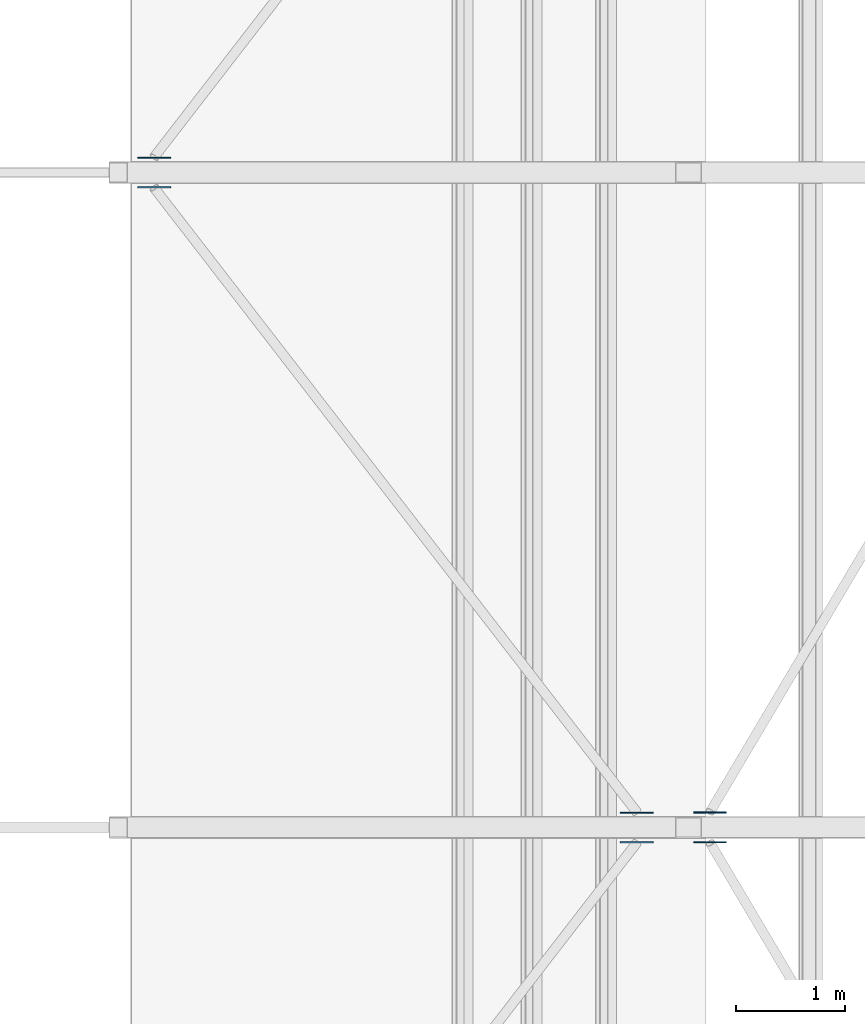
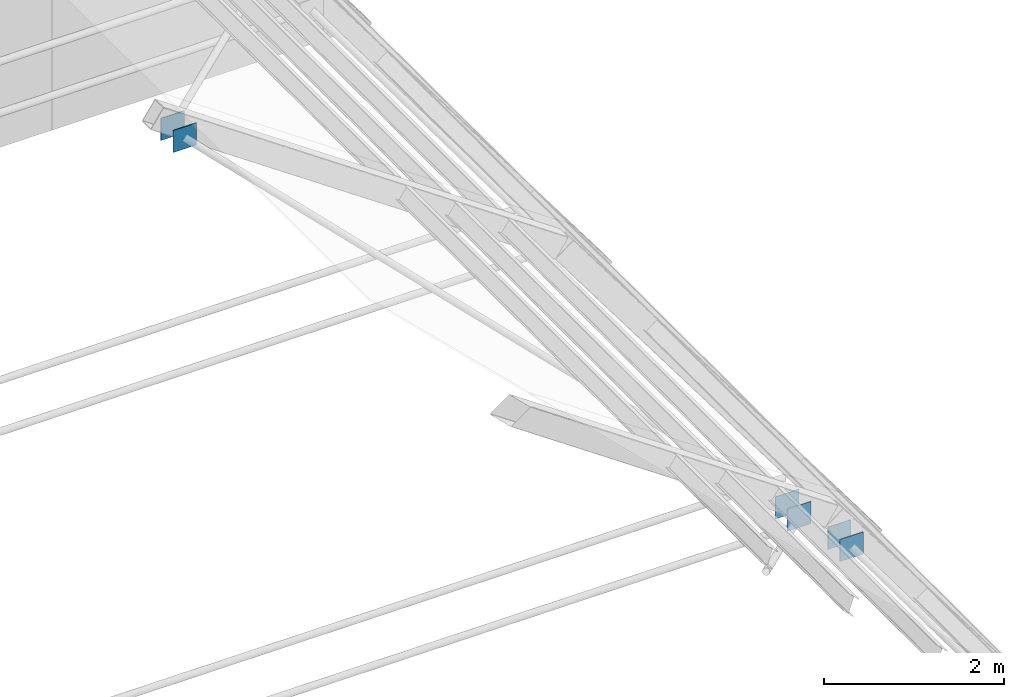
# One storey, part 31 of 43: 6 discrete accessories.
"""IFC4 building model written with IfcOpenShell, lengths in metres."""

from ifc_helpers import new_model, si_unit, direction, frame, origin, origin_2d, place, context, subcontext, project, spatial, rectangle, extrude, material, material_profile, profile_set, type_object, element, save


model = new_model("IFC4")

# Units and contexts
model_context = context("Model", 3, precision=1e-05, world=origin(), true_north=direction((0.0, 1.0)))
body_context = subcontext(model_context, "Body", "Model", "MODEL_VIEW")
ifc_project = project(units=[si_unit("LENGTHUNIT", "METRE"), si_unit("AREAUNIT", "SQUARE_METRE"), si_unit("VOLUMEUNIT", "CUBIC_METRE"), si_unit("PLANEANGLEUNIT", "RADIAN"), si_unit("MASSUNIT", "GRAM", prefix="KILO")], contexts=[model_context])

# Site, building, storey
site_placement = place(None, origin())
site = spatial("IfcSite", under=ifc_project, at=site_placement, CompositionType="ELEMENT")
building_placement = place(site_placement, origin())
building = spatial("IfcBuilding", under=site, at=building_placement, Name="Saffron Lane Theatres", CompositionType="ELEMENT")
storey_placement = place(building_placement, frame((0.0, 0.0, 23.0)))
storey = spatial("IfcBuildingStorey", under=building, at=storey_placement, Name="Roof", CompositionType="ELEMENT", Elevation=23.0)

# Discrete accessories
ifc_material = material(Name="Steel Grade 350", Category="steel")
ifc_material_profile = material_profile(ifc_material, rectangle(XDim=0.300048828125, YDim=0.300048828125, at=origin_2d()))
ifc_profile_set = profile_set([ifc_material_profile], Name="Steel Grade 350")
discrete_accessory_type = type_object("IfcDiscreteAccessoryType", Name="ST-GUSSET CONNECTION PLATE", PredefinedType="BRACKET", material=ifc_profile_set)
for number, where, z_axis, x_axis, name in (
    (1, (43.316650390625, 71.86962890625, 3.62451171875), (0.0, -1.0, 0.0), (1.0, 0.0, 0.0), "GB46"),
    (2, (43.988037109375, 71.86865234375, 2.976318359375), (0.0, -1.0, 0.0), (1.0, 0.0, 0.0), "GB47"),
    (3, (38.894775390625, 77.86962890625, 6.6708984375), (0.0, -1.0, 0.0), (1.0, 0.0, 0.0), "GB61"),
    (4, (43.316650390625, 72.13037109375, 3.62451171875), (0.0, 1.0, 0.0), (-1.0, 0.0, 0.0), "GB62"),
    (5, (43.988037109375, 72.13134765625, 2.976318359375), (0.0, 1.0, 0.0), (-1.0, 0.0, 0.0), "GB63"),
    (6, (38.894775390625, 78.13037109375, 6.6708984375), (0.0, 1.0, 0.0), (-1.0, 0.0, 0.0), "GB77"),
):
    element("IfcDiscreteAccessory", number, at=place(storey_placement, frame(where, z_axis=z_axis, x_axis=x_axis)), inside=storey, type_object=discrete_accessory_type, Name=name, PredefinedType="BRACKET", context=body_context, shape_type="SweptSolid", body=[
        extrude(rectangle(XDim=0.300048828125, YDim=0.300048828125, at=origin_2d()), origin(), (0.0, 0.0, 1.0), 0.010009765625),
    ])

save(model, "model.ifc")
